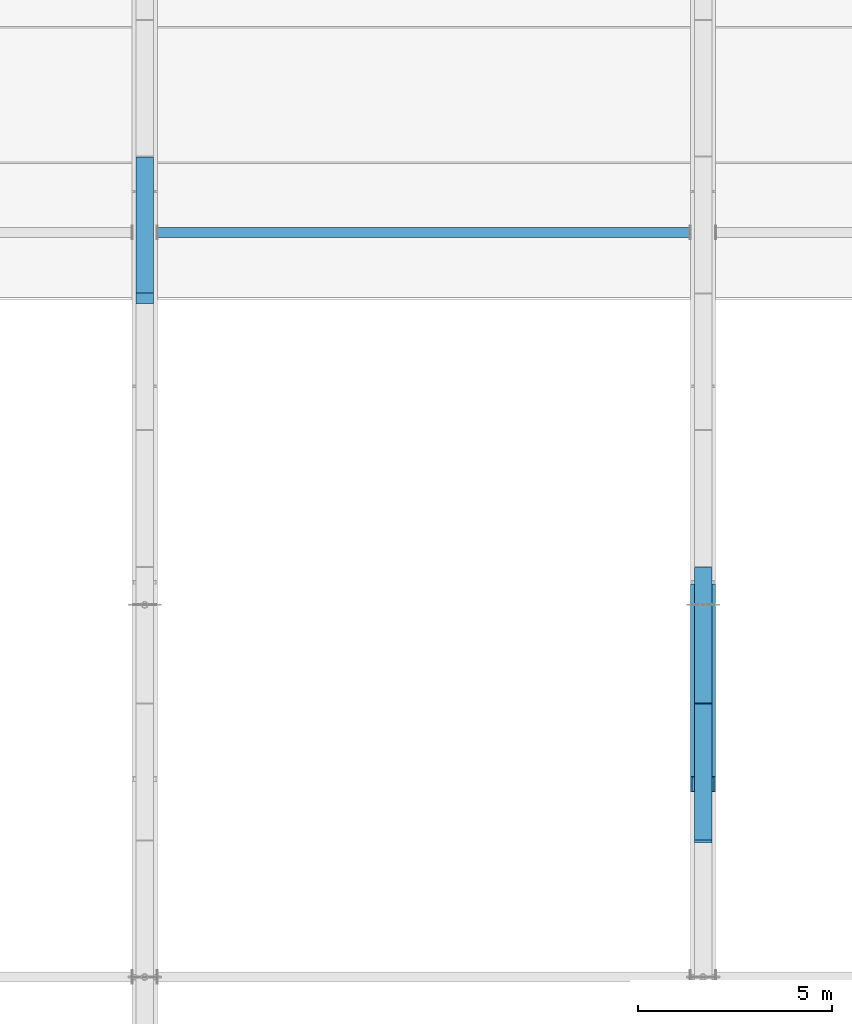
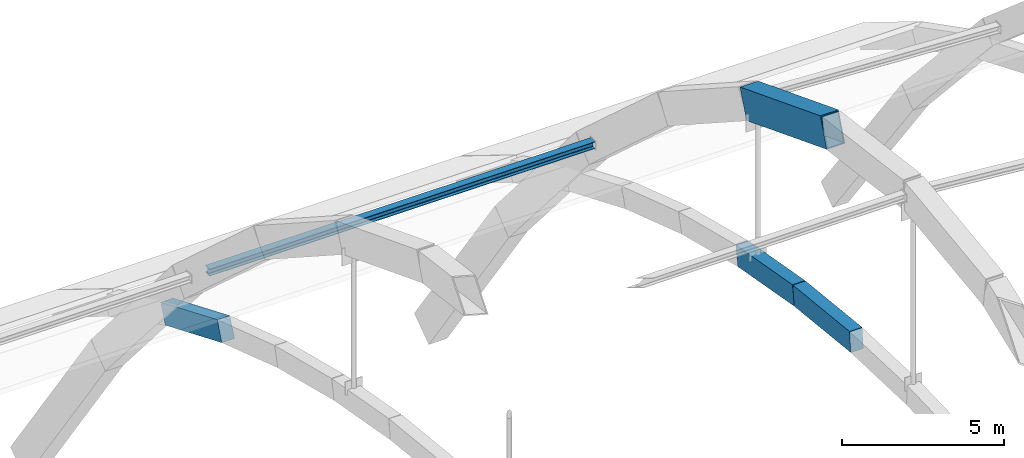
# One storey, part 26 of 64: 3 beams, 2 members.
"""IFC4 building model written with IfcOpenShell, lengths in metres."""

from ifc_helpers import new_model, si_unit, direction, frame, origin, origin_2d, place, context, subcontext, project, spatial, rectangle, hollow_rectangle, i_section, extrude, material, material_profile, profile_set, type_object, element, save


model = new_model("IFC4")

# Units and contexts
model_context = context("Model", 3, precision=1e-05, world=origin(), true_north=direction((0.0, 1.0)))
body_context = subcontext(model_context, "Body", "Model", "MODEL_VIEW")
ifc_project = project(units=[si_unit("LENGTHUNIT", "METRE"), si_unit("AREAUNIT", "SQUARE_METRE"), si_unit("VOLUMEUNIT", "CUBIC_METRE"), si_unit("PLANEANGLEUNIT", "RADIAN"), si_unit("MASSUNIT", "GRAM", prefix="KILO")], contexts=[model_context])

# Site, building, storey
site_placement = place(None, origin())
site = spatial("IfcSite", under=ifc_project, at=site_placement, CompositionType="ELEMENT")
building_placement = place(site_placement, origin())
building = spatial("IfcBuilding", under=site, at=building_placement, Name="Leyfeld Transit Interchange", CompositionType="ELEMENT")
storey_placement = place(building_placement, frame((0.0, 0.0, 9.60009765625)))
storey = spatial("IfcBuildingStorey", under=building, at=storey_placement, Name="L02", CompositionType="ELEMENT", Elevation=9.60009765625)

# Beams
ifc_material_1 = material(Name="Concrete C40/50", Category="concrete")
ifc_material_profile_1 = material_profile(ifc_material_1, rectangle(XDim=0.449951171875, YDim=0.75, at=origin_2d()), Name="RC 750x450 RIB")
ifc_profile_set_1 = profile_set([ifc_material_profile_1], Name="Concrete C40/50")
beam_type = type_object("IfcBeamType", Name="BM-RIB-750x450", PredefinedType="USERDEFINED", material=ifc_profile_set_1)
beam_1_placement = place(storey_placement, frame((72.0, 49.89990234375, 4.27783203125), z_axis=(0.0, 0.922787193718, -0.385309998716), x_axis=(-1.0, 0.0, 0.0)))
element("IfcBeam", 1, at=beam_1_placement, inside=storey, type_object=beam_type, Name="Concourse Vault Rib A6 Seg 14", ObjectType="ARCH_RIB", PredefinedType="USERDEFINED", context=body_context, shape_type="SweptSolid", body=[
    extrude(rectangle(XDim=0.449951171875, YDim=0.75, at=origin_2d()), origin(), (0.0, 0.0, 1.0), 3.79296875),
])
beam_2_placement = place(storey_placement, frame((86.39990234375, 35.89990234375, 7.317626953125), z_axis=(0.0, 0.99446241795, -0.105092812723), x_axis=(-1.0, 0.0, 0.0)))
element("IfcBeam", 2, at=beam_2_placement, inside=storey, type_object=beam_type, Name="Concourse Vault Rib A7 Seg 10", ObjectType="ARCH_RIB", PredefinedType="USERDEFINED", context=body_context, shape_type="SweptSolid", body=[
    extrude(rectangle(XDim=0.449951171875, YDim=0.75, at=origin_2d()), origin(), (0.0, 0.0, 1.0), 3.51953125),
])
beam_3_placement = place(storey_placement, frame((86.39990234375, 39.39990234375, 6.94775390625), z_axis=(0.0, 0.984546197367, -0.175125056033), x_axis=(-1.0, 0.0, 0.0)))
element("IfcBeam", 3, at=beam_3_placement, inside=storey, type_object=beam_type, Name="Concourse Vault Rib A7 Seg 11", ObjectType="ARCH_RIB", PredefinedType="USERDEFINED", context=body_context, shape_type="SweptSolid", body=[
    extrude(rectangle(XDim=0.449951171875, YDim=0.75, at=origin_2d()), origin(), (0.0, 0.0, 1.0), 3.554931640625),
])

# Members
ifc_material_2 = material(Name="Steel S355J2 - Ochre Arch", Category="steel")
ifc_material_profile_2 = material_profile(ifc_material_2, hollow_rectangle(XDim=0.64990234375, YDim=1.10009765625, WallThickness=0.035888671875, at=origin_2d()), Name="RHS 1100x650x36")
ifc_profile_set_2 = profile_set([ifc_material_profile_2], Name="Steel S355J2 - Ochre Arch")
member_type_1 = type_object("IfcMemberType", Name="MEM-ARCH-1100", PredefinedType="USERDEFINED", material=ifc_profile_set_2)
member_1_placement = place(storey_placement, frame((86.39990234375, 37.36669921875, 14.358154296875), z_axis=(0.0, 0.932424670612, -0.361364405599), x_axis=(-1.0, 0.0, 0.0)))
element("IfcMember", 4, at=member_1_placement, inside=storey, type_object=member_type_1, Name="Primary Steel Arch AR-06 Seg 8", ObjectType="ARCH_SEGMENT", PredefinedType="USERDEFINED", context=body_context, shape_type="SweptSolid", body=[
    extrude(hollow_rectangle(XDim=0.64990234375, YDim=1.10009765625, WallThickness=0.035888671875, at=origin_2d()), origin(), (0.0, 0.0, 1.0), 5.326416015625),
])
ifc_material_3 = material(Name="Steel S355J2", Category="steel")
ifc_material_profile_3 = material_profile(ifc_material_3, i_section(OverallWidth=0.260009765625, OverallDepth=0.260009765625, WebThickness=0.010009765625, FlangeThickness=0.017578125, FilletRadius=0.02392578125, at=origin_2d()), Name="HEB 260")
ifc_profile_set_3 = profile_set([ifc_material_profile_3], Name="Steel S355J2")
member_type_2 = type_object("IfcMemberType", Name="MEM-CHD-HEB260", PredefinedType="CHORD", material=ifc_profile_set_3)
member_2_placement = place(storey_placement, frame((72.324951171875, 51.60009765625, 5.336181640625), z_axis=(1.0, 0.0, 0.0), x_axis=(0.0, 1.0, 0.0)))
element("IfcMember", 5, at=member_2_placement, inside=storey, type_object=member_type_2, Name="Arch Longitudinal Tie Chord B6 T3", PredefinedType="CHORD", context=body_context, shape_type="SweptSolid", body=[
    extrude(i_section(OverallWidth=0.260009765625, OverallDepth=0.260009765625, WebThickness=0.010009765625, FlangeThickness=0.017578125, FilletRadius=0.02392578125, at=origin_2d()), origin(), (0.0, 0.0, 1.0), 13.75),
])

save(model, "model.ifc")
